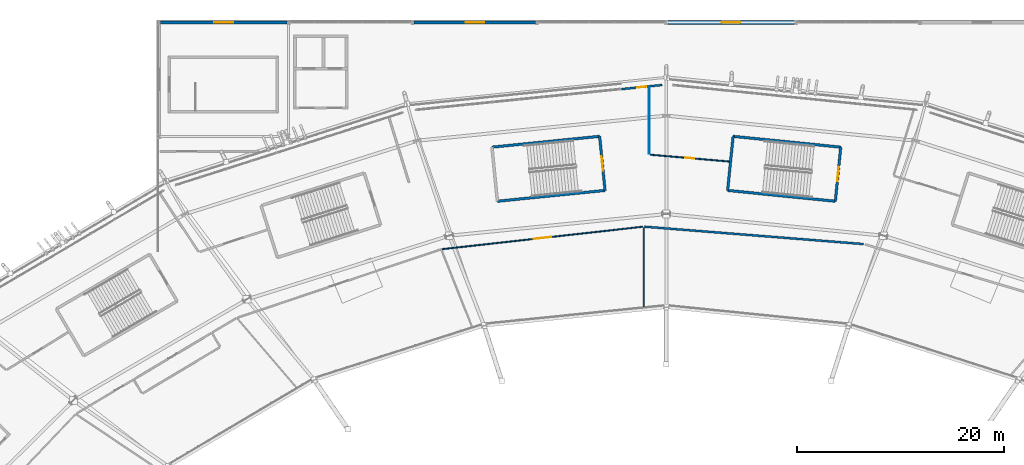
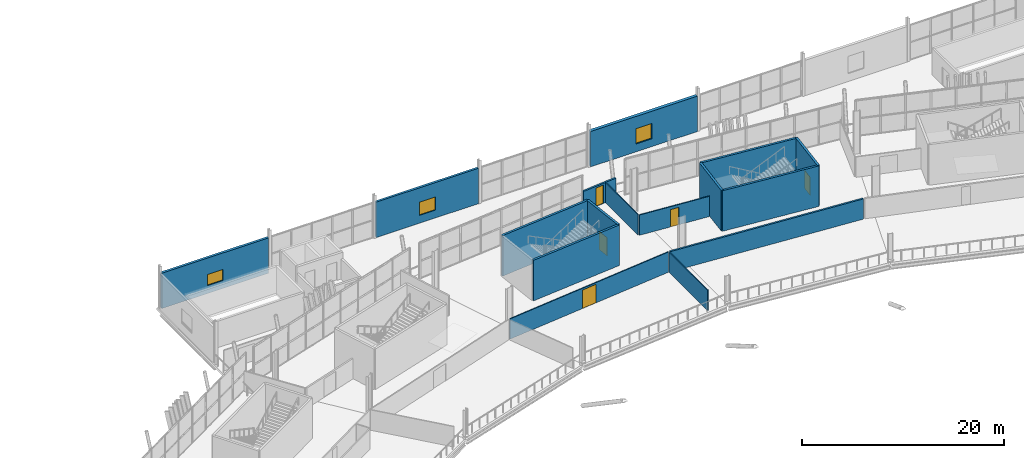
# One storey, part 126 of 168: 16 walls, 5 doors, 3 windows, 8 openings.
"""IFC4 building model written with IfcOpenShell, lengths in metres."""

import ifcopenshell
import ifcopenshell.guid

model = None  # the IFC model being written
_history = None  # IfcOwnerHistory: only IFC2X3 demands one
_inside = {}  # id of a spatial element -> (the spatial element, [elements in it])
_under = {}  # id of a project, library or spatial element -> (it, [spatial elements below it])
_declared = {}  # id of a project -> (the project, [libraries it declares])
_typed = {}  # id of a type object -> (the type object, [elements of that type])
_made_of = {}  # id of a material, layer set ... -> (it, [elements and type objects made of it])


def new_model(schema):
    """Start an empty IFC model of exactly this schema.

    Asked for "IFC4X3", IfcOpenShell would pick the latest addendum, in which some entities
    have other attributes; the version numbers below select the first issue.
    IFC2X3 requires an IfcOwnerHistory on every rooted entity: one is made here for all.
    """
    global model, _history
    if schema == "IFC4X3":
        model = ifcopenshell.file(schema_version=(4, 3, 0, 0))
    else:
        model = ifcopenshell.file(schema=schema)
    _inside.clear()
    _under.clear()
    _declared.clear()
    _typed.clear()
    _made_of.clear()
    _history = None
    if model.schema == "IFC2X3":
        org = make("IfcOrganization", Name="unknown")
        user = make(
            "IfcPersonAndOrganization",
            ThePerson=make("IfcPerson", FamilyName="unknown"),
            TheOrganization=org,
        )
        app = make(
            "IfcApplication",
            ApplicationDeveloper=org,
            Version="unknown",
            ApplicationFullName="unknown",
            ApplicationIdentifier="unknown",
        )
        _history = make(
            "IfcOwnerHistory",
            OwningUser=user,
            OwningApplication=app,
            ChangeAction="ADDED",
            CreationDate=0,
        )
    return model


def make(cls, **values):
    """One entity of the class cls with the attributes given. An attribute that is None is left unset."""
    return model.create_entity(
        cls, **{name: value for name, value in values.items() if value is not None}
    )


def rooted(cls, **values):
    """An entity with a GlobalId (a new one), such as an element, a storey or a relation."""
    return make(cls, GlobalId=ifcopenshell.guid.new(), OwnerHistory=_history, **values)


def si_unit(unit_type, name, prefix=None):
    """IfcSIUnit, for example si_unit("LENGTHUNIT", "METRE", prefix="MILLI")."""
    return make("IfcSIUnit", UnitType=unit_type, Prefix=prefix, Name=name)


def assignment(units):
    """IfcUnitAssignment: the units of a project."""
    return None if units is None else make("IfcUnitAssignment", Units=units)


def point(xyz):
    """IfcCartesianPoint."""
    return None if xyz is None else make("IfcCartesianPoint", Coordinates=xyz)


def direction(xyz):
    """IfcDirection."""
    return None if xyz is None else make("IfcDirection", DirectionRatios=xyz)


def frame(location, z_axis=None, x_axis=None):
    """IfcAxis2Placement3D, a coordinate frame: its origin and axes. An axis left out is left unset."""
    return make(
        "IfcAxis2Placement3D",
        Location=point(location),
        Axis=direction(z_axis),
        RefDirection=direction(x_axis),
    )


def frame_2d(location, x_axis=None):
    """IfcAxis2Placement2D, a coordinate frame in the plane: its origin and x axis."""
    return make(
        "IfcAxis2Placement2D", Location=point(location), RefDirection=direction(x_axis)
    )


def origin():
    """The frame at (0, 0, 0) with its axes left unset."""
    return frame((0.0, 0.0, 0.0))


def place(relative_to, where):
    """IfcLocalPlacement: puts the frame where relative to a parent placement (None: the world)."""
    return make(
        "IfcLocalPlacement", PlacementRelTo=relative_to, RelativePlacement=where
    )


def context(
    kind, dimensions, precision=None, world=None, true_north=None, identifier=None
):
    """IfcGeometricRepresentationContext, for example the 3D "Model" context."""
    return make(
        "IfcGeometricRepresentationContext",
        ContextIdentifier=identifier,
        ContextType=kind,
        CoordinateSpaceDimension=dimensions,
        Precision=precision,
        WorldCoordinateSystem=world,
        TrueNorth=true_north,
    )


def subcontext(parent, identifier, kind, view, scale=None):
    """IfcGeometricRepresentationSubContext, for example "Body" below "Model"."""
    return make(
        "IfcGeometricRepresentationSubContext",
        ContextIdentifier=identifier,
        ContextType=kind,
        ParentContext=parent,
        TargetScale=scale,
        TargetView=view,
    )


def project(units=None, contexts=None):
    """IfcProject with its units and contexts."""
    return rooted(
        "IfcProject",
        Name="project",
        RepresentationContexts=contexts,
        UnitsInContext=assignment(units),
    )


def spatial(cls, under=None, at=None, **own):
    """A site, building, storey or space (cls), placed at a placement, below another one or the project."""
    s = rooted(cls, ObjectPlacement=at, **own)
    if under is not None:
        _under.setdefault(under.id(), (under, []))[1].append(s)
    return s


def profile(cls, at=None, kind="AREA", **sizes):
    """A parametric profile (cls). Its sizes go by their IFC names, for example OverallWidth=200.0."""
    return make(cls, ProfileType=kind, Position=at, **sizes)


def rectangle(**sizes):
    """IfcRectangleProfileDef."""
    return profile("IfcRectangleProfileDef", **sizes)


def extrude(swept, where, along, depth):
    """IfcExtrudedAreaSolid: the profile swept, set in the frame where, extruded along a direction by depth."""
    return make(
        "IfcExtrudedAreaSolid",
        SweptArea=swept,
        Position=where,
        ExtrudedDirection=direction(along),
        Depth=depth,
    )


def shape(context_of_items, identifier, shape_type, items):
    """IfcShapeRepresentation: the items that make up one representation, for example the "Body"."""
    return make(
        "IfcShapeRepresentation",
        ContextOfItems=context_of_items,
        RepresentationIdentifier=identifier,
        RepresentationType=shape_type,
        Items=items,
    )


def material(Name=None, Category=None):
    """IfcMaterial."""
    return make("IfcMaterial", Name=Name, Category=Category)


def layer(
    of_material, thickness, ventilated=None, Name=None, Category=None, Priority=None
):
    """IfcMaterialLayer: one layer of a wall or slab, of a material (None: an air gap)."""
    return make(
        "IfcMaterialLayer",
        Material=of_material,
        LayerThickness=thickness,
        IsVentilated=ventilated,
        Name=Name,
        Category=Category,
        Priority=Priority,
    )


def layer_set(layers, Name=None):
    """IfcMaterialLayerSet."""
    return make("IfcMaterialLayerSet", MaterialLayers=layers, LayerSetName=Name)


def made_of(thing, what):
    """Note that an element or type object is made of a material, layer set ...; save() writes the relation."""
    if what is not None:
        _made_of.setdefault(what.id(), (what, []))[1].append(thing)
    return thing


def type_object(cls, material=None, **own):
    """A type object (cls), such as IfcWallType, which elements share."""
    return made_of(rooted(cls, **own), material)


def element(
    cls,
    number,
    at=None,
    inside=None,
    cuts=None,
    type_object=None,
    material=None,
    context=None,
    identifier="Body",
    shape_type=None,
    held_by="IfcProductDefinitionShape",
    body=None,
    shapes=None,
    **own,
):
    """One element of the class cls, such as IfcWall. Its Tag is "e" and its number.

    at: its placement. inside: the storey or other place that contains it. cuts: it is an
    opening in that element (IfcRelVoidsElement). A single representation is given by context,
    identifier, shape_type and body (its items); several are given by shapes. held_by: the class
    of the entity that holds the representations. save() writes the other relations.
    """
    e = rooted(cls, Tag="e%d" % number, ObjectPlacement=at, **own)
    if body is not None:
        shapes = [shape(context, identifier, shape_type, body)]
    if shapes is not None:
        e.Representation = make(held_by, Representations=shapes)
    if inside is not None:
        _inside.setdefault(inside.id(), (inside, []))[1].append(e)
    if cuts is not None:
        rooted(
            "IfcRelVoidsElement", RelatingBuildingElement=cuts, RelatedOpeningElement=e
        )
    if type_object is not None:
        _typed.setdefault(type_object.id(), (type_object, []))[1].append(e)
    return made_of(e, material)


def fill(opening, filler):
    """IfcRelFillsElement: the door or window that sits in an opening."""
    return rooted(
        "IfcRelFillsElement",
        RelatingOpeningElement=opening,
        RelatedBuildingElement=filler,
    )


def aggregate(whole, parts):
    """IfcRelAggregates: a whole, such as a stair, and the parts it consists of."""
    return rooted("IfcRelAggregates", RelatingObject=whole, RelatedObjects=parts)


def save(model, path):
    """Write the relations noted so far, then the file.

    IfcRelAggregates (storeys below a building ...), IfcRelContainedInSpatialStructure (elements
    in a storey), IfcRelDefinesByType, IfcRelAssociatesMaterial and IfcRelDeclares: one each for
    every whole, place, type object, material and project.
    """
    for whole, parts in _under.values():
        aggregate(whole, parts)
    for where, things in _inside.values():
        rooted(
            "IfcRelContainedInSpatialStructure",
            RelatedElements=things,
            RelatingStructure=where,
        )
    for kind, things in _typed.values():
        rooted("IfcRelDefinesByType", RelatedObjects=things, RelatingType=kind)
    for what, things in _made_of.values():
        rooted("IfcRelAssociatesMaterial", RelatedObjects=things, RelatingMaterial=what)
    for by, libraries in _declared.values():
        rooted("IfcRelDeclares", RelatingContext=by, RelatedDefinitions=libraries)
    model.write(path)


model = new_model("IFC4")

# Units and contexts
model_context = context("Model", 3, precision=1e-05, world=origin(), true_north=direction((0.0, 1.0)))
body_context = subcontext(model_context, "Body", "Model", "MODEL_VIEW")
ifc_project = project(units=[si_unit("LENGTHUNIT", "METRE"), si_unit("AREAUNIT", "SQUARE_METRE"), si_unit("VOLUMEUNIT", "CUBIC_METRE"), si_unit("PLANEANGLEUNIT", "RADIAN"), si_unit("MASSUNIT", "GRAM", prefix="KILO")], contexts=[model_context])

# Site, building, storey
site_placement = place(None, origin())
site = spatial("IfcSite", under=ifc_project, at=site_placement, CompositionType="ELEMENT")
building_placement = place(site_placement, origin())
building = spatial("IfcBuilding", under=site, at=building_placement, Name="Zlatoyarsky Gate Stadium", CompositionType="ELEMENT")
storey_placement = place(building_placement, frame((0.0, 0.0, 15.60009765625)))
storey = spatial("IfcBuildingStorey", under=building, at=storey_placement, Name="L03", CompositionType="ELEMENT", Elevation=15.60009765625)

# Wall, opening, door
ifc_material_1 = material(Name="Anodised aluminium acoustic operable wall", Category="aluminium")
ifc_layer_1 = layer(ifc_material_1, 0.114990234375)
ifc_layer_set_1 = layer_set([ifc_layer_1], Name="Anodised aluminium acoustic operable wall")
wall_type_1 = type_object("IfcWallType", Name="ACOUSTIC OPERABLE SUITE WALL 115", PredefinedType="MOVABLE", material=ifc_layer_set_1)
wall_1_placement = place(storey_placement, frame((117.0712890625, 146.56884765625, 0.0), z_axis=(0.0, 0.0, 1.0), x_axis=(-0.99628984103, 0.086061330803, 0.0)))
wall_1 = element("IfcWall", 1, at=wall_1_placement, inside=storey, type_object=wall_type_1, Name="L03 interior partition PRT-L03-OCC-05-1", PredefinedType="MOVABLE", context=body_context, shape_type="SweptSolid", body=[
    extrude(rectangle(XDim=7.656494140625, YDim=0.114990234375, at=frame_2d((3.828125, 0.0))), origin(), (0.0, 0.0, 1.0), 2.449951171875),
])
opening_1_placement = place(wall_1_placement, frame((3.37841796875, 0.0, 0.0)))
opening_1 = element("IfcOpeningElement", 2, at=opening_1_placement, cuts=wall_1, Name="Opening D-L03-458", PredefinedType="OPENING", context=body_context, shape_type="SweptSolid", body=[
    extrude(rectangle(XDim=0.89990234375, YDim=2.10009765625, at=frame_2d((0.449951171875, 1.050048828125))), frame((0.0, 0.0673828125, 0.0), z_axis=(0.0, -1.0, 0.0), x_axis=(1.0, 0.0, 0.0)), (0.0, 0.0, 1.0), 0.135009765625),
])
ifc_material_2 = material(Name="Solid-core oak veneer acoustic door", Category="wood")
door_type_1 = type_object("IfcDoorType", Name="ACOUSTIC INTERIOR DOOR 900X2100", OperationType="NOTDEFINED", PredefinedType="DOOR", material=ifc_material_2)
door_1_placement = place(opening_1_placement, origin())
door_1 = element("IfcDoor", 3, at=door_1_placement, inside=storey, type_object=door_type_1, Name="L03 room door D-L03-458", OperationType="SINGLE_SWING_LEFT", OverallHeight=2.10009765625, OverallWidth=0.89990234375, PredefinedType="DOOR", context=body_context, shape_type="SweptSolid", body=[
    extrude(rectangle(XDim=0.89990234375, YDim=2.10009765625, at=frame_2d((0.449951171875, 1.050048828125))), frame((0.0, 0.02490234375, 0.0), z_axis=(0.0, -1.0, 0.0), x_axis=(1.0, 0.0, 0.0)), (0.0, 0.0, 1.0), 0.050048828125),
])
fill(opening_1, door_1)

# Wall
ifc_material_3 = material(Name="Gypsum-clad mineral wool fire partition", Category="gypsum")
ifc_layer_2 = layer(ifc_material_3, 0.199951171875)
ifc_layer_set_2 = layer_set([ifc_layer_2], Name="Gypsum-clad mineral wool fire partition")
wall_type_2 = type_object("IfcWallType", Name="COMPARTMENT FIRE PARTITION WALL 200", PredefinedType="PARTITIONING", material=ifc_layer_set_2)
wall_2_placement = place(storey_placement, frame((130.02685546875, 138.59912109375, 0.0), z_axis=(0.0, 0.0, 1.0), x_axis=(-0.996870264064, 0.079054896279, 0.0)))
element("IfcWall", 4, at=wall_2_placement, inside=storey, type_object=wall_type_2, Name="L03 interior partition PRT-L03-ICC-05M", PredefinedType="PARTITIONING", context=body_context, shape_type="SweptSolid", body=[
    extrude(rectangle(XDim=21.19775390625, YDim=0.199951171875, at=frame_2d((10.598876953125, 0.0))), origin(), (0.0, 0.0, 1.0), 2.449951171875),
])

# Wall, opening, door
wall_3_placement = place(storey_placement, frame((110.596923828125, 153.961181640625, 0.0), z_axis=(0.0, 0.0, 1.0), x_axis=(-0.994893944584, -0.100925908613, 0.0)))
wall_3 = element("IfcWall", 5, at=wall_3_placement, inside=storey, type_object=wall_type_2, Name="L03 interior partition PRT-PORTAL-L03-06", PredefinedType="PARTITIONING", context=body_context, shape_type="SweptSolid", body=[
    extrude(rectangle(XDim=3.9599609375, YDim=0.199951171875, at=frame_2d((1.97998046875, 0.0))), origin(), (0.0, 0.0, 1.0), 2.449951171875),
])
opening_2_placement = place(wall_3_placement, frame((1.530029296875, 0.0, 0.0)))
opening_2 = element("IfcOpeningElement", 6, at=opening_2_placement, cuts=wall_3, Name="Opening D-L03-718", PredefinedType="OPENING", context=body_context, shape_type="SweptSolid", body=[
    extrude(rectangle(XDim=0.89990234375, YDim=2.239990234375, at=frame_2d((0.449951171875, 1.1201171875))), frame((0.0, 0.10986328125, 0.0), z_axis=(0.0, -1.0, 0.0), x_axis=(1.0, 0.0, 0.0)), (0.0, 0.0, 1.0), 0.219970703125),
])
ifc_material_4 = material(Name="Powder-coated steel fire door", Category="steel")
door_type_2 = type_object("IfcDoorType", Name="ACOUSTIC INTERIOR DOOR 900X2240", OperationType="NOTDEFINED", PredefinedType="DOOR", material=ifc_material_4)
door_2_placement = place(opening_2_placement, origin())
door_2 = element("IfcDoor", 7, at=door_2_placement, inside=storey, type_object=door_type_2, Name="L03 room door D-L03-718", OperationType="SINGLE_SWING_RIGHT", OverallHeight=2.239990234375, OverallWidth=0.89990234375, PredefinedType="DOOR", context=body_context, shape_type="SweptSolid", body=[
    extrude(rectangle(XDim=0.89990234375, YDim=2.239990234375, at=frame_2d((0.449951171875, 1.1201171875))), frame((0.0, 0.02490234375, 0.0), z_axis=(0.0, -1.0, 0.0), x_axis=(1.0, 0.0, 0.0)), (0.0, 0.0, 1.0), 0.050048828125),
])
fill(opening_2, door_2)

ifc_material_5 = material(Name="Concrete C40/50", Category="concrete")
ifc_layer_3 = layer(ifc_material_5, 0.25)
ifc_layer_set_3 = layer_set([ifc_layer_3], Name="Concrete C40/50")
wall_type_3 = type_object("IfcWallType", Name="CONCRETE STAIR CORE SHEAR WALL 250", PredefinedType="SHEAR", material=ifc_layer_set_3)
wall_4_placement = place(storey_placement, frame((105.07861328125, 143.779052734375, 0.0), z_axis=(0.0, 0.0, 1.0), x_axis=(-0.100028593886, 0.994984562898, 0.0)))
wall_4 = element("IfcWall", 8, at=wall_4_placement, inside=storey, type_object=wall_type_3, Name="ST-04 L03 stair core entrance shear wall", PredefinedType="SHEAR", context=body_context, shape_type="SweptSolid", body=[
    extrude(rectangle(XDim=5.25, YDim=0.25, at=frame_2d((2.625, 0.0))), origin(), (0.0, 0.0, 1.0), 4.89990234375),
])
opening_3_placement = place(wall_4_placement, frame((1.925048828125, 0.0, 0.0)))
opening_3 = element("IfcOpeningElement", 9, at=opening_3_placement, cuts=wall_4, Name="Opening SD-ST-04-L03", PredefinedType="OPENING", context=body_context, shape_type="SweptSolid", body=[
    extrude(rectangle(XDim=1.39990234375, YDim=2.199951171875, at=frame_2d((0.699951171875, 1.10009765625))), frame((0.0, 0.135009765625, 0.0), z_axis=(0.0, -1.0, 0.0), x_axis=(1.0, 0.0, 0.0)), (0.0, 0.0, 1.0), 0.27001953125),
])
door_type_3 = type_object("IfcDoorType", Name="STAIR CORE FIRE EXIT DOOR 1400X2200", OperationType="NOTDEFINED", PredefinedType="DOOR", material=ifc_material_4)
door_3_placement = place(opening_3_placement, frame((1.39990234375, 0.0, 0.0), z_axis=(0.0, 0.0, 1.0), x_axis=(-1.0, 0.0, 0.0)))
door_3 = element("IfcDoor", 10, at=door_3_placement, inside=storey, type_object=door_type_3, Name="ST-04 L03 stair fire door", OperationType="SINGLE_SWING_LEFT", OverallHeight=2.199951171875, OverallWidth=1.39990234375, PredefinedType="DOOR", context=body_context, shape_type="SweptSolid", body=[
    extrude(rectangle(XDim=1.39990234375, YDim=2.199951171875, at=frame_2d((0.699951171875, 1.10009765625))), frame((0.0, 0.02490234375, 0.0), z_axis=(0.0, -1.0, 0.0), x_axis=(1.0, 0.0, 0.0)), (0.0, 0.0, 1.0), 0.050048828125),
])
fill(opening_3, door_3)

# Walls
for number, where, z_axis, x_axis, name in (
    (11, (104.553466796875, 149.002685546875, 0.0), (0.0, 0.0, 1.0), (-0.994985938948, -0.100014905366, 0.0), "ST-04 L03 stair core left shear wall"),
    (12, (94.680908203125, 142.73388671875, 0.0), (0.0, 0.0, 1.0), (0.994985938948, 0.100014905366, 0.0), "ST-04 L03 stair core right shear wall"),
):
    element("IfcWall", number, at=place(storey_placement, frame(where, z_axis=z_axis, x_axis=x_axis)), inside=storey, type_object=wall_type_3, Name=name, PredefinedType="SHEAR", context=body_context, shape_type="SweptSolid", body=[
        extrude(rectangle(XDim=10.4501953125, YDim=0.25, at=frame_2d((5.22509765625, 0.0))), origin(), (0.0, 0.0, 1.0), 4.89990234375),
    ])

# Wall, opening, door
wall_5_placement = place(storey_placement, frame((127.319091796875, 142.73388671875, 0.0), z_axis=(0.0, 0.0, 1.0), x_axis=(0.10002396577, 0.994985028165, 0.0)))
wall_5 = element("IfcWall", 13, at=wall_5_placement, inside=storey, type_object=wall_type_3, Name="ST-17 L03 stair core entrance shear wall", PredefinedType="SHEAR", context=body_context, shape_type="SweptSolid", body=[
    extrude(rectangle(XDim=5.250244140625, YDim=0.25, at=frame_2d((2.625, 0.0))), origin(), (0.0, 0.0, 1.0), 4.89990234375),
])
opening_4_placement = place(wall_5_placement, frame((1.925048828125, 0.0, 0.0)))
opening_4 = element("IfcOpeningElement", 14, at=opening_4_placement, cuts=wall_5, Name="Opening SD-ST-17-L03", PredefinedType="OPENING", context=body_context, shape_type="SweptSolid", body=[
    extrude(rectangle(XDim=1.39990234375, YDim=2.199951171875, at=frame_2d((0.699951171875, 1.10009765625))), frame((0.0, 0.135009765625, 0.0), z_axis=(0.0, -1.0, 0.0), x_axis=(1.0, 0.0, 0.0)), (0.0, 0.0, 1.0), 0.27001953125),
])
door_4_placement = place(opening_4_placement, frame((1.39990234375, 0.0, 0.0), z_axis=(0.0, 0.0, 1.0), x_axis=(-1.0, 0.0, 0.0)))
door_4 = element("IfcDoor", 15, at=door_4_placement, inside=storey, type_object=door_type_3, Name="ST-17 L03 stair fire door", OperationType="SINGLE_SWING_LEFT", OverallHeight=2.199951171875, OverallWidth=1.39990234375, PredefinedType="DOOR", context=body_context, shape_type="SweptSolid", body=[
    extrude(rectangle(XDim=1.39990234375, YDim=2.199951171875, at=frame_2d((0.699951171875, 1.10009765625))), frame((0.0, 0.02490234375, 0.0), z_axis=(0.0, -1.0, 0.0), x_axis=(1.0, 0.0, 0.0)), (0.0, 0.0, 1.0), 0.050048828125),
])
fill(opening_4, door_4)

# Walls
wall_6_placement = place(storey_placement, frame((127.84423828125, 147.957763671875, 0.0), z_axis=(0.0, 0.0, 1.0), x_axis=(-0.994988263568, 0.09999177647, 0.0)))
element("IfcWall", 16, at=wall_6_placement, inside=storey, type_object=wall_type_3, Name="ST-17 L03 stair core left shear wall", PredefinedType="SHEAR", context=body_context, shape_type="SweptSolid", body=[
    extrude(rectangle(XDim=10.4501953125, YDim=0.25, at=frame_2d((5.22509765625, 0.0))), origin(), (0.0, 0.0, 1.0), 4.89990234375),
])
wall_7_placement = place(storey_placement, frame((117.446533203125, 149.002685546875, 0.0), z_axis=(0.0, 0.0, 1.0), x_axis=(-0.099982555566, -0.994989190184, 0.0)))
element("IfcWall", 17, at=wall_7_placement, inside=storey, type_object=wall_type_3, Name="ST-17 L03 stair core far shear wall", PredefinedType="SHEAR", context=body_context, shape_type="SweptSolid", body=[
    extrude(rectangle(XDim=5.25, YDim=0.25, at=frame_2d((2.625, 0.0))), origin(), (0.0, 0.0, 1.0), 4.89990234375),
])
wall_8_placement = place(storey_placement, frame((116.921630859375, 143.779052734375, 0.0), z_axis=(0.0, 0.0, 1.0), x_axis=(0.994985705245, -0.100017230303, 0.0)))
element("IfcWall", 18, at=wall_8_placement, inside=storey, type_object=wall_type_3, Name="ST-17 L03 stair core right shear wall", PredefinedType="SHEAR", context=body_context, shape_type="SweptSolid", body=[
    extrude(rectangle(XDim=10.449951171875, YDim=0.25, at=frame_2d((5.22509765625, 0.0))), origin(), (0.0, 0.0, 1.0), 4.89990234375),
])
ifc_material_6 = material(Name="Timber-veneered acoustic operable partition", Category="wood")
ifc_layer_4 = layer(ifc_material_6, 0.094970703125)
ifc_layer_set_4 = layer_set([ifc_layer_4], Name="Timber-veneered acoustic operable partition")
wall_type_4 = type_object("IfcWallType", Name="FOLDING BANQUET SALON WALL 95", PredefinedType="MOVABLE", material=ifc_layer_set_4)
wall_9_placement = place(storey_placement, frame((109.3583984375, 147.3203125, 0.0), z_axis=(0.0, 0.0, 1.0), x_axis=(0.0, 1.0, 0.0)))
element("IfcWall", 19, at=wall_9_placement, inside=storey, type_object=wall_type_4, Name="L03 interior partition PRT-L03-ORD-05R", PredefinedType="MOVABLE", context=body_context, shape_type="SweptSolid", body=[
    extrude(rectangle(XDim=6.43017578125, YDim=0.094970703125, at=frame_2d((3.215087890625, 0.0))), origin(), (0.0, 0.0, 1.0), 2.449951171875),
])

# Wall, opening, window
ifc_material_7 = material(Name="Precast concrete C40/50 architectural panel", Category="concrete")
ifc_layer_5 = layer(ifc_material_7, 0.280029296875)
ifc_layer_set_5 = layer_set([ifc_layer_5], Name="Precast concrete C40/50 architectural panel")
wall_type_5 = type_object("IfcWallType", Name="INSULATED WING SPANDREL WALL 280", PredefinedType="STANDARD", material=ifc_layer_set_5)
wall_10_placement = place(storey_placement, frame((62.14697265625, 160.0, 0.0), z_axis=(0.0, 0.0, 1.0), x_axis=(1.0, 0.0, 0.0)))
wall_10 = element("IfcWall", 20, at=wall_10_placement, inside=storey, type_object=wall_type_5, Name="V2_NORTH L03 N exterior wall", PredefinedType="STANDARD", context=body_context, shape_type="SweptSolid", body=[
    extrude(rectangle(XDim=12.2060546875, YDim=0.280029296875, at=frame_2d((6.10302734375, 0.0))), origin(), (0.0, 0.0, 1.0), 4.27978515625),
])
opening_5_placement = place(wall_10_placement, frame((5.202880859375, 0.0, 0.949951171875)))
opening_5 = element("IfcOpeningElement", 21, at=opening_5_placement, cuts=wall_10, Name="Opening WN-09", PredefinedType="OPENING", context=body_context, shape_type="SweptSolid", body=[
    extrude(rectangle(XDim=1.800048828125, YDim=1.35009765625, at=frame_2d((0.89990234375, 0.675048828125))), frame((0.0, 0.14990234375, 0.0), z_axis=(0.0, -1.0, 0.0), x_axis=(1.0, 0.0, 0.0)), (0.0, 0.0, 1.0), 0.300048828125),
])
ifc_material_8 = material(Name="Triple-glazed thermally broken aluminium window", Category="aluminium")
window_type_1 = type_object("IfcWindowType", Name="TRIPLE GLAZED ALUMINIUM WINDOW 1800X1350", PartitioningType="SINGLE_PANEL", PredefinedType="WINDOW", material=ifc_material_8)
window_1_placement = place(opening_5_placement, origin())
window_1 = element("IfcWindow", 22, at=window_1_placement, inside=storey, type_object=window_type_1, Name="Exterior window WIN-L03-009", OverallHeight=1.35009765625, OverallWidth=1.800048828125, PartitioningType="SINGLE_PANEL", PredefinedType="WINDOW", context=body_context, shape_type="SweptSolid", body=[
    extrude(rectangle(XDim=1.800048828125, YDim=1.35009765625, at=frame_2d((0.89990234375, 0.675048828125))), frame((0.0, 0.030029296875, 0.0), z_axis=(0.0, -1.0, 0.0), x_axis=(1.0, 0.0, 0.0)), (0.0, 0.0, 1.0), 0.06005859375),
])
fill(opening_5, window_1)

# Wall, opening, door
ifc_material_9 = material(Name="Metal-stud gypsum partition", Category="gypsum")
ifc_layer_6 = layer(ifc_material_9, 0.110107421875)
ifc_layer_set_6 = layer_set([ifc_layer_6], Name="Metal-stud gypsum partition")
wall_type_6 = type_object("IfcWallType", Name="KIOSK SERVICE PARTITION 110", PredefinedType="PARTITIONING", material=ifc_layer_set_6)
wall_11_placement = place(storey_placement, frame((108.726318359375, 140.272216796875, 0.0), z_axis=(0.0, 0.0, 1.0), x_axis=(-0.993803678033, -0.111149671744, 0.0)))
wall_11 = element("IfcWall", 23, at=wall_11_placement, inside=storey, type_object=wall_type_6, Name="L03 interior partition PRT-L03-ICC-06", PredefinedType="PARTITIONING", context=body_context, shape_type="SweptSolid", body=[
    extrude(rectangle(XDim=19.513671875, YDim=0.110107421875, at=frame_2d((9.7568359375, 0.0))), origin(), (0.0, 0.0, 1.0), 2.449951171875),
])
opening_6_placement = place(wall_11_placement, frame((8.9169921875, 0.0, 0.0)))
opening_6 = element("IfcOpeningElement", 24, at=opening_6_placement, cuts=wall_11, Name="Opening D-L03-406", PredefinedType="OPENING", context=body_context, shape_type="SweptSolid", body=[
    extrude(rectangle(XDim=1.679931640625, YDim=2.239990234375, at=frame_2d((0.83984375, 1.1201171875))), frame((0.0, 0.06494140625, 0.0), z_axis=(0.0, -1.0, 0.0), x_axis=(1.0, 0.0, 0.0)), (0.0, 0.0, 1.0), 0.130126953125),
])
door_type_4 = type_object("IfcDoorType", Name="ACOUSTIC INTERIOR DOOR 1680X2240", OperationType="NOTDEFINED", PredefinedType="DOOR", material=ifc_material_2)
door_5_placement = place(opening_6_placement, origin())
door_5 = element("IfcDoor", 25, at=door_5_placement, inside=storey, type_object=door_type_4, Name="L03 room door D-L03-406", OperationType="SINGLE_SWING_RIGHT", OverallHeight=2.239990234375, OverallWidth=1.679931640625, PredefinedType="DOOR", context=body_context, shape_type="SweptSolid", body=[
    extrude(rectangle(XDim=1.679931640625, YDim=2.239990234375, at=frame_2d((0.83984375, 1.1201171875))), frame((0.0, 0.02490234375, 0.0), z_axis=(0.0, -1.0, 0.0), x_axis=(1.0, 0.0, 0.0)), (0.0, 0.0, 1.0), 0.050048828125),
])
fill(opening_6, door_5)

# Wall, opening, window
ifc_material_10 = material(Name="Limestone-faced insulated masonry wall", Category="masonry")
ifc_layer_7 = layer(ifc_material_10, 0.360107421875)
ifc_layer_set_7 = layer_set([ifc_layer_7], Name="Limestone-faced insulated masonry wall")
wall_type_7 = type_object("IfcWallType", Name="LIMESTONE CLAD CAVITY WALL 360", PredefinedType="STANDARD", material=ifc_layer_set_7)
wall_12_placement = place(storey_placement, frame((111.14697265625, 160.0, 0.0), z_axis=(0.0, 0.0, 1.0), x_axis=(1.0, 0.0, 0.0)))
wall_12 = element("IfcWall", 26, at=wall_12_placement, inside=storey, type_object=wall_type_7, Name="V2_NORTH L03 N exterior wall", PredefinedType="STANDARD", context=body_context, shape_type="SweptSolid", body=[
    extrude(rectangle(XDim=12.2060546875, YDim=0.360107421875, at=frame_2d((6.10302734375, 0.0))), origin(), (0.0, 0.0, 1.0), 4.27978515625),
])
opening_7_placement = place(wall_12_placement, frame((5.202880859375, 0.0, 0.949951171875)))
opening_7 = element("IfcOpeningElement", 27, at=opening_7_placement, cuts=wall_12, Name="Opening WN-11", PredefinedType="OPENING", context=body_context, shape_type="SweptSolid", body=[
    extrude(rectangle(XDim=1.800048828125, YDim=1.85009765625, at=frame_2d((0.89990234375, 0.925048828125))), frame((0.0, 0.18994140625, 0.0), z_axis=(0.0, -1.0, 0.0), x_axis=(1.0, 0.0, 0.0)), (0.0, 0.0, 1.0), 0.380126953125),
])
window_type_2 = type_object("IfcWindowType", Name="TRIPLE GLAZED ALUMINIUM WINDOW 1800X1850", PartitioningType="SINGLE_PANEL", PredefinedType="WINDOW", material=ifc_material_8)
window_2_placement = place(opening_7_placement, origin())
window_2 = element("IfcWindow", 28, at=window_2_placement, inside=storey, type_object=window_type_2, Name="Exterior window WIN-L03-011", OverallHeight=1.85009765625, OverallWidth=1.800048828125, PartitioningType="SINGLE_PANEL", PredefinedType="WINDOW", context=body_context, shape_type="SweptSolid", body=[
    extrude(rectangle(XDim=1.800048828125, YDim=1.85009765625, at=frame_2d((0.89990234375, 0.925048828125))), frame((0.0, 0.030029296875, 0.0), z_axis=(0.0, -1.0, 0.0), x_axis=(1.0, 0.0, 0.0)), (0.0, 0.0, 1.0), 0.06005859375),
])
fill(opening_7, window_2)

# Wall
ifc_layer_8 = layer(ifc_material_9, 0.1201171875)
ifc_layer_set_8 = layer_set([ifc_layer_8], Name="Metal-stud gypsum partition")
wall_type_8 = type_object("IfcWallType", Name="OFFICE AND PRESS PARTITION 120", PredefinedType="PARTITIONING", material=ifc_layer_set_8)
wall_13_placement = place(storey_placement, frame((108.811279296875, 132.54248046875, 0.0), z_axis=(0.0, 0.0, 1.0), x_axis=(-6.3793818e-05, 0.999999997965, 0.0)))
element("IfcWall", 29, at=wall_13_placement, inside=storey, type_object=wall_type_8, Name="L03 interior partition PRT-L03-IRD-06", PredefinedType="PARTITIONING", context=body_context, shape_type="SweptSolid", body=[
    extrude(rectangle(XDim=7.654052734375, YDim=0.1201171875, at=frame_2d((3.8271484375, 0.0))), origin(), (0.0, 0.0, 1.0), 2.449951171875),
])

# Wall, opening, window
ifc_layer_9 = layer(ifc_material_10, 0.260009765625)
ifc_layer_set_9 = layer_set([ifc_layer_9], Name="Limestone-faced insulated masonry wall")
wall_type_9 = type_object("IfcWallType", Name="PORTICO COLONNADE PLINTH WALL 260", PredefinedType="STANDARD", material=ifc_layer_set_9)
wall_14_placement = place(storey_placement, frame((86.64697265625, 160.0, 0.0), z_axis=(0.0, 0.0, 1.0), x_axis=(1.0, 0.0, 0.0)))
wall_14 = element("IfcWall", 30, at=wall_14_placement, inside=storey, type_object=wall_type_9, Name="V2_NORTH L03 N exterior wall", PredefinedType="STANDARD", context=body_context, shape_type="SweptSolid", body=[
    extrude(rectangle(XDim=11.7060546875, YDim=0.260009765625, at=frame_2d((5.85302734375, 0.0))), origin(), (0.0, 0.0, 1.0), 4.27978515625),
])
opening_8_placement = place(wall_14_placement, frame((4.952880859375, 0.0, 0.949951171875)))
opening_8 = element("IfcOpeningElement", 31, at=opening_8_placement, cuts=wall_14, Name="Opening WN-10", PredefinedType="OPENING", context=body_context, shape_type="SweptSolid", body=[
    extrude(rectangle(XDim=1.800048828125, YDim=1.60009765625, at=frame_2d((0.89990234375, 0.800048828125))), frame((0.0, 0.139892578125, 0.0), z_axis=(0.0, -1.0, 0.0), x_axis=(1.0, 0.0, 0.0)), (0.0, 0.0, 1.0), 0.280029296875),
])
window_type_3 = type_object("IfcWindowType", Name="TRIPLE GLAZED ALUMINIUM WINDOW 1800X1600", PartitioningType="SINGLE_PANEL", PredefinedType="WINDOW", material=ifc_material_8)
window_3_placement = place(opening_8_placement, origin())
window_3 = element("IfcWindow", 32, at=window_3_placement, inside=storey, type_object=window_type_3, Name="Exterior window WIN-L03-010", OverallHeight=1.60009765625, OverallWidth=1.800048828125, PartitioningType="SINGLE_PANEL", PredefinedType="WINDOW", context=body_context, shape_type="SweptSolid", body=[
    extrude(rectangle(XDim=1.800048828125, YDim=1.60009765625, at=frame_2d((0.89990234375, 0.800048828125))), frame((0.0, 0.030029296875, 0.0), z_axis=(0.0, -1.0, 0.0), x_axis=(1.0, 0.0, 0.0)), (0.0, 0.0, 1.0), 0.06005859375),
])
fill(opening_8, window_3)

save(model, "model.ifc")
